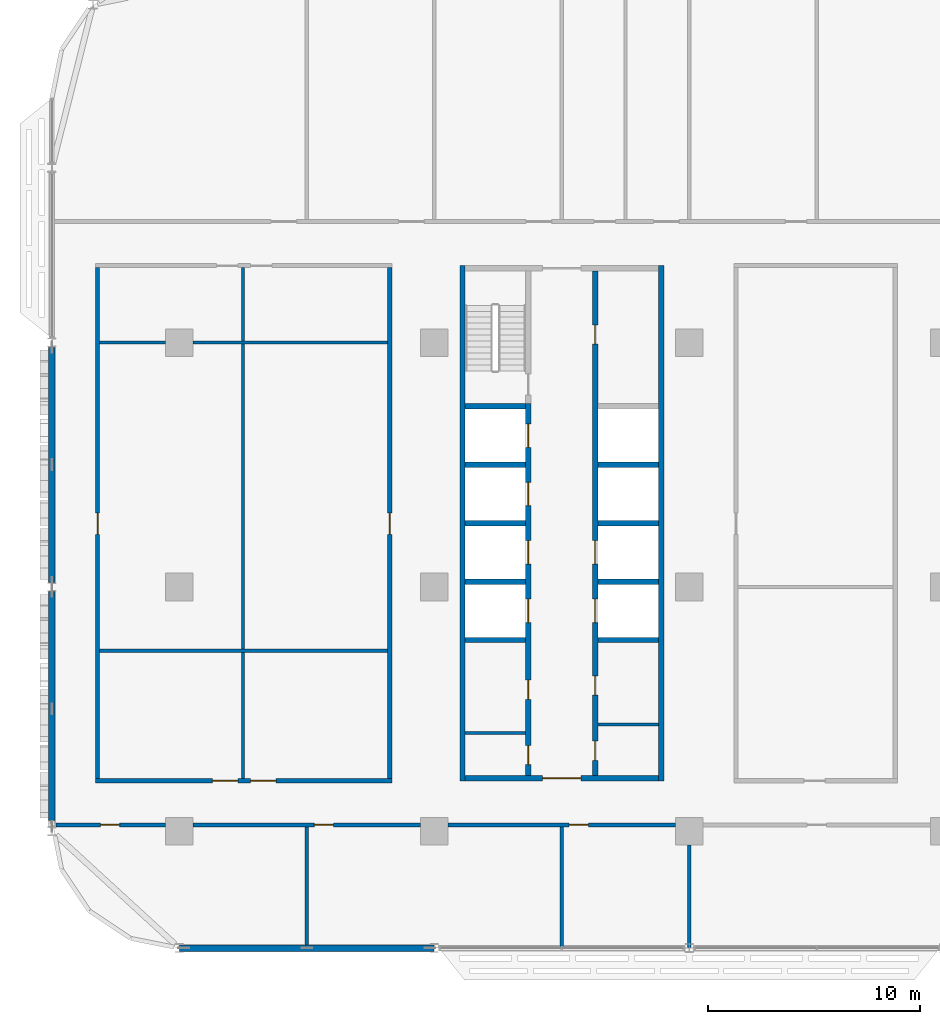
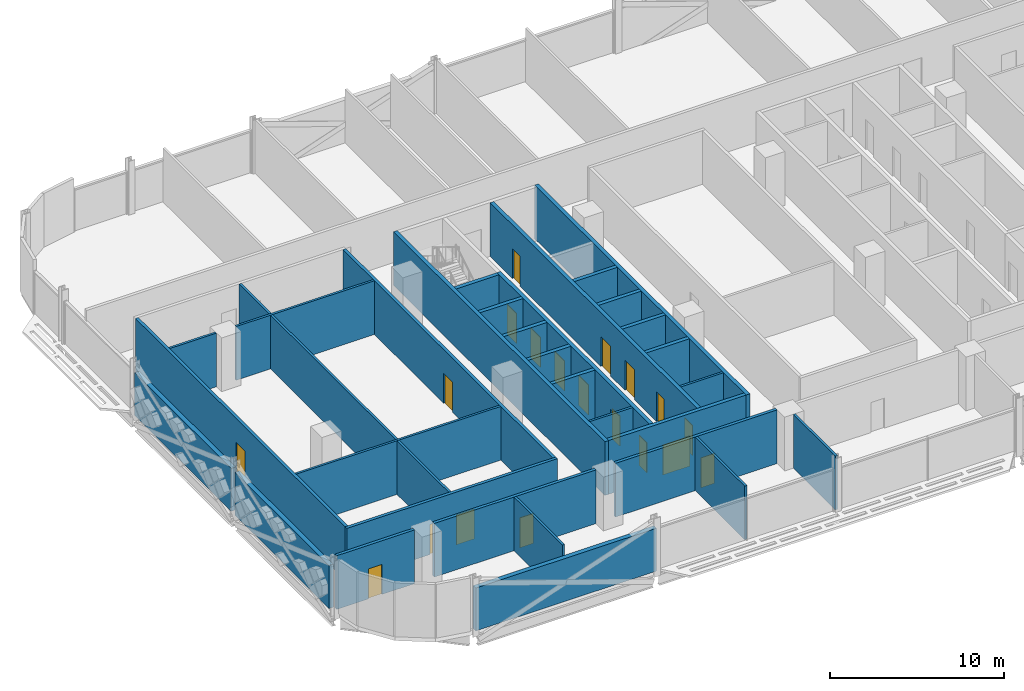
# One storey, part 13 of 29: 32 walls, 19 doors, 19 openings.
"""IFC4 building model written with IfcOpenShell, lengths in metres."""

from ifc_helpers import new_model, si_unit, direction, frame, frame_2d, origin, place, context, subcontext, project, spatial, rectangle, extrude, material, layer, layer_set, type_object, element, fill, save


model = new_model("IFC4")

# Units and contexts
model_context = context("Model", 3, precision=1e-05, world=origin(), true_north=direction((0.0, 1.0)))
body_context = subcontext(model_context, "Body", "Model", "MODEL_VIEW")
ifc_project = project(units=[si_unit("LENGTHUNIT", "METRE"), si_unit("AREAUNIT", "SQUARE_METRE"), si_unit("VOLUMEUNIT", "CUBIC_METRE"), si_unit("PLANEANGLEUNIT", "RADIAN"), si_unit("MASSUNIT", "GRAM", prefix="KILO")], contexts=[model_context])

# Site, building, storey
site_placement = place(None, origin())
site = spatial("IfcSite", under=ifc_project, at=site_placement, CompositionType="ELEMENT")
building_placement = place(site_placement, origin())
building = spatial("IfcBuilding", under=site, at=building_placement, Name="Mahtab Terrace Research Tower", CompositionType="ELEMENT")
storey_placement = place(building_placement, frame((0.0, 0.0, 126.10009765625)))
storey = spatial("IfcBuildingStorey", under=building, at=storey_placement, Name="L29", CompositionType="ELEMENT", Elevation=126.10009765625)

# Walls
ifc_material_1 = material(Name="Gypsum board partition")
ifc_layer_1 = layer(ifc_material_1, 0.14990234375)
ifc_layer_set_1 = layer_set([ifc_layer_1], Name="Core partition 150")
wall_type_1 = type_object("IfcWallType", Name="Core partition 150", PredefinedType="PARTITIONING", material=ifc_layer_set_1)
for number, where, z_axis, x_axis, name in (
    (1, (-28.550048828125, -6.875, 0.0), (0.0, 0.0, 1.0), (1.0, 0.0, 0.0), "Core wall A pWS-988"),
    (2, (-22.300048828125, -6.47509765625, 0.0), (0.0, 0.0, 1.0), (1.0, 0.0, 0.0), "Core wall A pES-948"),
):
    element("IfcWall", number, at=place(storey_placement, frame(where, z_axis=z_axis, x_axis=x_axis)), inside=storey, type_object=wall_type_1, Name=name, PredefinedType="PARTITIONING", context=body_context, shape_type="SweptSolid", body=[
        extrude(rectangle(XDim=2.85009765625, YDim=0.14990234375, at=frame_2d((1.425048828125, 0.0))), origin(), (0.0, 0.0, 1.0), 3.760009765625),
    ])
ifc_material_2 = material(Name="Concrete C70/85", Category="concrete")
ifc_layer_2 = layer(ifc_material_2, 0.25)
ifc_layer_set_2 = layer_set([ifc_layer_2], Name="Core wall 250")
wall_type_2 = type_object("IfcWallType", Name="Core wall 250", PredefinedType="SOLIDWALL", material=ifc_layer_set_2)
for number, where, z_axis, x_axis, name in (
    (3, (-28.675048828125, 15.125, 0.0), (0.0, 0.0, 1.0), (0.0, -1.0, 0.0), "Core wall A outerW"),
    (4, (-19.324951171875, -9.125, 0.0), (0.0, 0.0, 1.0), (0.0, 1.0, 0.0), "Core wall A outerE"),
):
    element("IfcWall", number, at=place(storey_placement, frame(where, z_axis=z_axis, x_axis=x_axis)), inside=storey, type_object=wall_type_2, Name=name, PredefinedType="SOLIDWALL", context=body_context, shape_type="SweptSolid", body=[
        extrude(rectangle(XDim=24.25, YDim=0.25, at=frame_2d((12.125, 0.0))), origin(), (0.0, 0.0, 1.0), 3.760009765625),
    ])

# Wall, opening, door
wall_1_placement = place(storey_placement, frame((-19.449951171875, -9.0, 0.0), z_axis=(0.0, 0.0, 1.0), x_axis=(-1.0, 0.0, 0.0)))
wall_1 = element("IfcWall", 5, at=wall_1_placement, inside=storey, type_object=wall_type_2, Name="Core wall A endS", PredefinedType="SOLIDWALL", context=body_context, shape_type="SweptSolid", body=[
    extrude(rectangle(XDim=9.10009765625, YDim=0.25, at=frame_2d((4.550048828125, 0.0))), origin(), (0.0, 0.0, 1.0), 3.760009765625),
])
opening_1_placement = place(wall_1_placement, frame((3.64990234375, 0.0, 0.0)))
opening_1 = element("IfcOpeningElement", 6, at=opening_1_placement, cuts=wall_1, Name="Opening A-S1", PredefinedType="OPENING", context=body_context, shape_type="SweptSolid", body=[
    extrude(rectangle(XDim=1.800048828125, YDim=2.10009765625, at=frame_2d((0.89990234375, 1.050048828125))), frame((0.0, 0.135009765625, 0.0), z_axis=(0.0, -1.0, 0.0), x_axis=(1.0, 0.0, 0.0)), (0.0, 0.0, 1.0), 0.27001953125),
])
ifc_material_3 = material(Name="Steel fire door", Category="steel")
door_type_1 = type_object("IfcDoorType", Name="Lobby double door 1800x2100 1 HR", OperationType="DOUBLE_DOOR_SINGLE_SWING", PredefinedType="DOOR", material=ifc_material_3)
door_1_placement = place(opening_1_placement, origin())
door_1 = element("IfcDoor", 7, at=door_1_placement, inside=storey, type_object=door_type_1, Name="Core entrance door A S", OperationType="DOUBLE_DOOR_SINGLE_SWING", OverallHeight=2.10009765625, OverallWidth=1.800048828125, PredefinedType="DOOR", context=body_context, shape_type="SweptSolid", body=[
    extrude(rectangle(XDim=1.800048828125, YDim=2.10009765625, at=frame_2d((0.89990234375, 1.050048828125))), frame((0.0, 0.02490234375, 0.0), z_axis=(0.0, -1.0, 0.0), x_axis=(1.0, 0.0, 0.0)), (0.0, 0.0, 1.0), 0.050048828125),
])
fill(opening_1, door_1)

# Wall, openings, doors
wall_2_placement = place(storey_placement, frame((-25.574951171875, -8.875, 0.0), z_axis=(0.0, 0.0, 1.0), x_axis=(0.0, 1.0, 0.0)))
wall_2 = element("IfcWall", 8, at=wall_2_placement, inside=storey, type_object=wall_type_2, Name="Core wall A innerWSL", PredefinedType="SOLIDWALL", context=body_context, shape_type="SweptSolid", body=[
    extrude(rectangle(XDim=17.5, YDim=0.25, at=frame_2d((8.75, 0.0))), origin(), (0.0, 0.0, 1.0), 3.760009765625),
])
opening_2_placement = place(wall_2_placement, frame((7.199951171875, 0.0, 0.0)))
opening_2 = element("IfcOpeningElement", 9, at=opening_2_placement, cuts=wall_2, Name="Opening LD01-L29", PredefinedType="OPENING", context=body_context, shape_type="SweptSolid", body=[
    extrude(rectangle(XDim=1.10009765625, YDim=2.10009765625, at=frame_2d((0.550048828125, 1.050048828125))), frame((0.0, 0.135009765625, 0.0), z_axis=(0.0, -1.0, 0.0), x_axis=(1.0, 0.0, 0.0)), (0.0, 0.0, 1.0), 0.27001953125),
])
opening_3_placement = place(wall_2_placement, frame((9.949951171875, 0.0, 0.0)))
opening_3 = element("IfcOpeningElement", 10, at=opening_3_placement, cuts=wall_2, Name="Opening LD02-L29", PredefinedType="OPENING", context=body_context, shape_type="SweptSolid", body=[
    extrude(rectangle(XDim=1.10009765625, YDim=2.10009765625, at=frame_2d((0.550048828125, 1.050048828125))), frame((0.0, 0.135009765625, 0.0), z_axis=(0.0, -1.0, 0.0), x_axis=(1.0, 0.0, 0.0)), (0.0, 0.0, 1.0), 0.27001953125),
])
opening_4_placement = place(wall_2_placement, frame((12.699951171875, 0.0, 0.0)))
opening_4 = element("IfcOpeningElement", 11, at=opening_4_placement, cuts=wall_2, Name="Opening LD03-L29", PredefinedType="OPENING", context=body_context, shape_type="SweptSolid", body=[
    extrude(rectangle(XDim=1.10009765625, YDim=2.10009765625, at=frame_2d((0.550048828125, 1.050048828125))), frame((0.0, 0.135009765625, 0.0), z_axis=(0.0, -1.0, 0.0), x_axis=(1.0, 0.0, 0.0)), (0.0, 0.0, 1.0), 0.27001953125),
])
opening_5_placement = place(wall_2_placement, frame((15.449951171875, 0.0, 0.0)))
opening_5 = element("IfcOpeningElement", 12, at=opening_5_placement, cuts=wall_2, Name="Opening LD04-L29", PredefinedType="OPENING", context=body_context, shape_type="SweptSolid", body=[
    extrude(rectangle(XDim=1.10009765625, YDim=2.10009765625, at=frame_2d((0.550048828125, 1.050048828125))), frame((0.0, 0.135009765625, 0.0), z_axis=(0.0, -1.0, 0.0), x_axis=(1.0, 0.0, 0.0)), (0.0, 0.0, 1.0), 0.27001953125),
])
opening_6_placement = place(wall_2_placement, frame((0.512451171875, 0.0, 0.0)))
opening_6 = element("IfcOpeningElement", 13, at=opening_6_placement, cuts=wall_2, Name="Opening A-R1", PredefinedType="OPENING", context=body_context, shape_type="SweptSolid", body=[
    extrude(rectangle(XDim=0.89990234375, YDim=2.10009765625, at=frame_2d((0.449951171875, 1.050048828125))), frame((0.0, 0.135009765625, 0.0), z_axis=(0.0, -1.0, 0.0), x_axis=(1.0, 0.0, 0.0)), (0.0, 0.0, 1.0), 0.27001953125),
])
opening_7_placement = place(wall_2_placement, frame((3.58740234375, 0.0, 0.0)))
opening_7 = element("IfcOpeningElement", 14, at=opening_7_placement, cuts=wall_2, Name="Opening A-R2", PredefinedType="OPENING", context=body_context, shape_type="SweptSolid", body=[
    extrude(rectangle(XDim=0.89990234375, YDim=2.10009765625, at=frame_2d((0.449951171875, 1.050048828125))), frame((0.0, 0.135009765625, 0.0), z_axis=(0.0, -1.0, 0.0), x_axis=(1.0, 0.0, 0.0)), (0.0, 0.0, 1.0), 0.27001953125),
])
ifc_material_4 = material(Name="Stainless steel AISI 304", Category="steel")
door_type_2 = type_object("IfcDoorType", Name="Landing door 1100x2100", OperationType="DOUBLE_DOOR_SLIDING", PredefinedType="DOOR", material=ifc_material_4)
door_2_placement = place(opening_2_placement, origin())
door_2 = element("IfcDoor", 15, at=door_2_placement, inside=storey, type_object=door_type_2, Name="Landing door LR1 L29", OperationType="DOUBLE_DOOR_SLIDING", OverallHeight=2.10009765625, OverallWidth=1.10009765625, PredefinedType="DOOR", context=body_context, shape_type="SweptSolid", body=[
    extrude(rectangle(XDim=1.10009765625, YDim=2.10009765625, at=frame_2d((0.550048828125, 1.050048828125))), frame((0.0, 0.02490234375, 0.0), z_axis=(0.0, -1.0, 0.0), x_axis=(1.0, 0.0, 0.0)), (0.0, 0.0, 1.0), 0.050048828125),
])
fill(opening_2, door_2)
door_3_placement = place(opening_3_placement, origin())
door_3 = element("IfcDoor", 16, at=door_3_placement, inside=storey, type_object=door_type_2, Name="Landing door LR2 L29", OperationType="DOUBLE_DOOR_SLIDING", OverallHeight=2.10009765625, OverallWidth=1.10009765625, PredefinedType="DOOR", context=body_context, shape_type="SweptSolid", body=[
    extrude(rectangle(XDim=1.10009765625, YDim=2.10009765625, at=frame_2d((0.550048828125, 1.050048828125))), frame((0.0, 0.02490234375, 0.0), z_axis=(0.0, -1.0, 0.0), x_axis=(1.0, 0.0, 0.0)), (0.0, 0.0, 1.0), 0.050048828125),
])
fill(opening_3, door_3)
door_4_placement = place(opening_4_placement, origin())
door_4 = element("IfcDoor", 17, at=door_4_placement, inside=storey, type_object=door_type_2, Name="Landing door LR3 L29", OperationType="DOUBLE_DOOR_SLIDING", OverallHeight=2.10009765625, OverallWidth=1.10009765625, PredefinedType="DOOR", context=body_context, shape_type="SweptSolid", body=[
    extrude(rectangle(XDim=1.10009765625, YDim=2.10009765625, at=frame_2d((0.550048828125, 1.050048828125))), frame((0.0, 0.02490234375, 0.0), z_axis=(0.0, -1.0, 0.0), x_axis=(1.0, 0.0, 0.0)), (0.0, 0.0, 1.0), 0.050048828125),
])
fill(opening_4, door_4)
door_5_placement = place(opening_5_placement, origin())
door_5 = element("IfcDoor", 18, at=door_5_placement, inside=storey, type_object=door_type_2, Name="Landing door LR4 L29", OperationType="DOUBLE_DOOR_SLIDING", OverallHeight=2.10009765625, OverallWidth=1.10009765625, PredefinedType="DOOR", context=body_context, shape_type="SweptSolid", body=[
    extrude(rectangle(XDim=1.10009765625, YDim=2.10009765625, at=frame_2d((0.550048828125, 1.050048828125))), frame((0.0, 0.02490234375, 0.0), z_axis=(0.0, -1.0, 0.0), x_axis=(1.0, 0.0, 0.0)), (0.0, 0.0, 1.0), 0.050048828125),
])
fill(opening_5, door_5)
door_type_3 = type_object("IfcDoorType", Name="Room door 900x2100 1 HR", OperationType="NOTDEFINED", PredefinedType="DOOR", material=ifc_material_3)
door_6_placement = place(opening_6_placement, origin())
door_6 = element("IfcDoor", 19, at=door_6_placement, inside=storey, type_object=door_type_3, Name="Accessible WC door", OperationType="SINGLE_SWING_LEFT", OverallHeight=2.10009765625, OverallWidth=0.89990234375, PredefinedType="DOOR", context=body_context, shape_type="SweptSolid", body=[
    extrude(rectangle(XDim=0.89990234375, YDim=2.10009765625, at=frame_2d((0.449951171875, 1.050048828125))), frame((0.0, 0.02490234375, 0.0), z_axis=(0.0, -1.0, 0.0), x_axis=(1.0, 0.0, 0.0)), (0.0, 0.0, 1.0), 0.050048828125),
])
fill(opening_6, door_6)
door_7_placement = place(opening_7_placement, origin())
door_7 = element("IfcDoor", 20, at=door_7_placement, inside=storey, type_object=door_type_3, Name="WC block door", OperationType="SINGLE_SWING_RIGHT", OverallHeight=2.10009765625, OverallWidth=0.89990234375, PredefinedType="DOOR", context=body_context, shape_type="SweptSolid", body=[
    extrude(rectangle(XDim=0.89990234375, YDim=2.10009765625, at=frame_2d((0.449951171875, 1.050048828125))), frame((0.0, 0.02490234375, 0.0), z_axis=(0.0, -1.0, 0.0), x_axis=(1.0, 0.0, 0.0)), (0.0, 0.0, 1.0), 0.050048828125),
])
fill(opening_7, door_7)

wall_3_placement = place(storey_placement, frame((-22.425048828125, 14.875, 0.0), z_axis=(0.0, 0.0, 1.0), x_axis=(0.0, -1.0, 0.0)))
wall_3 = element("IfcWall", 21, at=wall_3_placement, inside=storey, type_object=wall_type_2, Name="Core wall A innerESLN", PredefinedType="SOLIDWALL", context=body_context, shape_type="SweptSolid", body=[
    extrude(rectangle(XDim=23.75, YDim=0.25, at=frame_2d((11.875, 0.0))), origin(), (0.0, 0.0, 1.0), 3.760009765625),
])
opening_8_placement = place(wall_3_placement, frame((15.449951171875, 0.0, 0.0)))
opening_8 = element("IfcOpeningElement", 22, at=opening_8_placement, cuts=wall_3, Name="Opening LD05-L29", PredefinedType="OPENING", context=body_context, shape_type="SweptSolid", body=[
    extrude(rectangle(XDim=1.10009765625, YDim=2.10009765625, at=frame_2d((0.550048828125, 1.050048828125))), frame((0.0, 0.135009765625, 0.0), z_axis=(0.0, -1.0, 0.0), x_axis=(1.0, 0.0, 0.0)), (0.0, 0.0, 1.0), 0.27001953125),
])
opening_9_placement = place(wall_3_placement, frame((12.699951171875, 0.0, 0.0)))
opening_9 = element("IfcOpeningElement", 23, at=opening_9_placement, cuts=wall_3, Name="Opening LD06-L29", PredefinedType="OPENING", context=body_context, shape_type="SweptSolid", body=[
    extrude(rectangle(XDim=1.10009765625, YDim=2.10009765625, at=frame_2d((0.550048828125, 1.050048828125))), frame((0.0, 0.135009765625, 0.0), z_axis=(0.0, -1.0, 0.0), x_axis=(1.0, 0.0, 0.0)), (0.0, 0.0, 1.0), 0.27001953125),
])
opening_10_placement = place(wall_3_placement, frame((22.137451171875, 0.0, 0.0)))
opening_10 = element("IfcOpeningElement", 24, at=opening_10_placement, cuts=wall_3, Name="Opening A-R3", PredefinedType="OPENING", context=body_context, shape_type="SweptSolid", body=[
    extrude(rectangle(XDim=0.89990234375, YDim=2.10009765625, at=frame_2d((0.449951171875, 1.050048828125))), frame((0.0, 0.135009765625, 0.0), z_axis=(0.0, -1.0, 0.0), x_axis=(1.0, 0.0, 0.0)), (0.0, 0.0, 1.0), 0.27001953125),
])
opening_11_placement = place(wall_3_placement, frame((19.0625, 0.0, 0.0)))
opening_11 = element("IfcOpeningElement", 25, at=opening_11_placement, cuts=wall_3, Name="Opening A-R4", PredefinedType="OPENING", context=body_context, shape_type="SweptSolid", body=[
    extrude(rectangle(XDim=0.89990234375, YDim=2.10009765625, at=frame_2d((0.449951171875, 1.050048828125))), frame((0.0, 0.135009765625, 0.0), z_axis=(0.0, -1.0, 0.0), x_axis=(1.0, 0.0, 0.0)), (0.0, 0.0, 1.0), 0.27001953125),
])
opening_12_placement = place(wall_3_placement, frame((2.550048828125, 0.0, 0.0)))
opening_12 = element("IfcOpeningElement", 26, at=opening_12_placement, cuts=wall_3, Name="Opening A-R5", PredefinedType="OPENING", context=body_context, shape_type="SweptSolid", body=[
    extrude(rectangle(XDim=0.89990234375, YDim=2.10009765625, at=frame_2d((0.449951171875, 1.050048828125))), frame((0.0, 0.135009765625, 0.0), z_axis=(0.0, -1.0, 0.0), x_axis=(1.0, 0.0, 0.0)), (0.0, 0.0, 1.0), 0.27001953125),
])
door_8_placement = place(opening_8_placement, origin())
door_8 = element("IfcDoor", 27, at=door_8_placement, inside=storey, type_object=door_type_2, Name="Landing door LR5 L29", OperationType="DOUBLE_DOOR_SLIDING", OverallHeight=2.10009765625, OverallWidth=1.10009765625, PredefinedType="DOOR", context=body_context, shape_type="SweptSolid", body=[
    extrude(rectangle(XDim=1.10009765625, YDim=2.10009765625, at=frame_2d((0.550048828125, 1.050048828125))), frame((0.0, 0.02490234375, 0.0), z_axis=(0.0, -1.0, 0.0), x_axis=(1.0, 0.0, 0.0)), (0.0, 0.0, 1.0), 0.050048828125),
])
fill(opening_8, door_8)
door_9_placement = place(opening_9_placement, origin())
door_9 = element("IfcDoor", 28, at=door_9_placement, inside=storey, type_object=door_type_2, Name="Landing door LR6 L29", OperationType="DOUBLE_DOOR_SLIDING", OverallHeight=2.10009765625, OverallWidth=1.10009765625, PredefinedType="DOOR", context=body_context, shape_type="SweptSolid", body=[
    extrude(rectangle(XDim=1.10009765625, YDim=2.10009765625, at=frame_2d((0.550048828125, 1.050048828125))), frame((0.0, 0.02490234375, 0.0), z_axis=(0.0, -1.0, 0.0), x_axis=(1.0, 0.0, 0.0)), (0.0, 0.0, 1.0), 0.050048828125),
])
fill(opening_9, door_9)
door_10_placement = place(opening_10_placement, origin())
door_10 = element("IfcDoor", 29, at=door_10_placement, inside=storey, type_object=door_type_3, Name="Mechanical riser room door", OperationType="SINGLE_SWING_LEFT", OverallHeight=2.10009765625, OverallWidth=0.89990234375, PredefinedType="DOOR", context=body_context, shape_type="SweptSolid", body=[
    extrude(rectangle(XDim=0.89990234375, YDim=2.10009765625, at=frame_2d((0.449951171875, 1.050048828125))), frame((0.0, 0.02490234375, 0.0), z_axis=(0.0, -1.0, 0.0), x_axis=(1.0, 0.0, 0.0)), (0.0, 0.0, 1.0), 0.050048828125),
])
fill(opening_10, door_10)
door_11_placement = place(opening_11_placement, origin())
door_11 = element("IfcDoor", 30, at=door_11_placement, inside=storey, type_object=door_type_3, Name="Chemical store door", OperationType="SINGLE_SWING_RIGHT", OverallHeight=2.10009765625, OverallWidth=0.89990234375, PredefinedType="DOOR", context=body_context, shape_type="SweptSolid", body=[
    extrude(rectangle(XDim=0.89990234375, YDim=2.10009765625, at=frame_2d((0.449951171875, 1.050048828125))), frame((0.0, 0.02490234375, 0.0), z_axis=(0.0, -1.0, 0.0), x_axis=(1.0, 0.0, 0.0)), (0.0, 0.0, 1.0), 0.050048828125),
])
fill(opening_11, door_11)
door_12_placement = place(opening_12_placement, origin())
door_12 = element("IfcDoor", 31, at=door_12_placement, inside=storey, type_object=door_type_3, Name="Gas cylinder store door", OperationType="SINGLE_SWING_LEFT", OverallHeight=2.10009765625, OverallWidth=0.89990234375, PredefinedType="DOOR", context=body_context, shape_type="SweptSolid", body=[
    extrude(rectangle(XDim=0.89990234375, YDim=2.10009765625, at=frame_2d((0.449951171875, 1.050048828125))), frame((0.0, 0.02490234375, 0.0), z_axis=(0.0, -1.0, 0.0), x_axis=(1.0, 0.0, 0.0)), (0.0, 0.0, 1.0), 0.050048828125),
])
fill(opening_12, door_12)

# Walls
for number, where, z_axis, x_axis, name in (
    (32, (-28.550048828125, -2.5, 0.0), (0.0, 0.0, 1.0), (1.0, 0.0, 0.0), "Core wall A divW0"),
    (33, (-28.550048828125, 0.25, 0.0), (0.0, 0.0, 1.0), (1.0, 0.0, 0.0), "Core wall A divW1"),
    (34, (-28.550048828125, 3.0, 0.0), (0.0, 0.0, 1.0), (1.0, 0.0, 0.0), "Core wall A divW2"),
    (35, (-28.550048828125, 5.75, 0.0), (0.0, 0.0, 1.0), (1.0, 0.0, 0.0), "Core wall A divW3"),
    (36, (-28.550048828125, 8.5, 0.0), (0.0, 0.0, 1.0), (1.0, 0.0, 0.0), "Core wall A divW4"),
    (37, (-22.300048828125, -2.5, 0.0), (0.0, 0.0, 1.0), (1.0, 0.0, 0.0), "Core wall A divE0"),
    (38, (-22.300048828125, 0.25, 0.0), (0.0, 0.0, 1.0), (1.0, 0.0, 0.0), "Core wall A divE1"),
    (39, (-22.300048828125, 3.0, 0.0), (0.0, 0.0, 1.0), (1.0, 0.0, 0.0), "Core wall A divE2"),
    (40, (-22.300048828125, 5.75, 0.0), (0.0, 0.0, 1.0), (1.0, 0.0, 0.0), "Core wall A divE3"),
):
    element("IfcWall", number, at=place(storey_placement, frame(where, z_axis=z_axis, x_axis=x_axis)), inside=storey, type_object=wall_type_2, Name=name, PredefinedType="SOLIDWALL", context=body_context, shape_type="SweptSolid", body=[
        extrude(rectangle(XDim=2.85009765625, YDim=0.25, at=frame_2d((1.425048828125, 0.0))), origin(), (0.0, 0.0, 1.0), 3.760009765625),
    ])
ifc_material_5 = material(Name="Black aluminium cladding panel", Category="aluminium")
ifc_layer_3 = layer(ifc_material_5, 0.300048828125)
ifc_layer_set_3 = layer_set([ifc_layer_3], Name="Opaque facade wall 300")
wall_type_3 = type_object("IfcWallType", Name="Opaque facade wall 300", PredefinedType="NOTDEFINED", material=ifc_layer_set_3)
wall_4_placement = place(storey_placement, frame((-48.0, 11.281982421875, 0.0), z_axis=(0.0, 0.0, 1.0), x_axis=(0.0, -1.0, 0.0)))
element("IfcWall", 41, at=wall_4_placement, inside=storey, type_object=wall_type_3, Name="Opaque facade wall L29 W17", PredefinedType="NOTDEFINED", context=body_context, shape_type="SweptSolid", body=[
    extrude(rectangle(XDim=11.06396484375, YDim=0.300048828125, at=frame_2d((5.531982421875, 0.0))), origin(), (0.0, 0.0, 1.0), 3.0029296875),
])
wall_5_placement = place(storey_placement, frame((-48.0, -0.218017578125, 0.0), z_axis=(0.0, 0.0, 1.0), x_axis=(0.0, -1.0, 0.0)))
element("IfcWall", 42, at=wall_5_placement, inside=storey, type_object=wall_type_3, Name="Opaque facade wall L29 W18", PredefinedType="NOTDEFINED", context=body_context, shape_type="SweptSolid", body=[
    extrude(rectangle(XDim=10.781982421875, YDim=0.300048828125, at=frame_2d((5.39111328125, 0.0))), origin(), (0.0, 0.0, 1.0), 3.0029296875),
])
wall_6_placement = place(storey_placement, frame((-41.982177734375, -17.0, 0.0), z_axis=(0.0, 0.0, 1.0), x_axis=(1.0, 0.0, 0.0)))
element("IfcWall", 43, at=wall_6_placement, inside=storey, type_object=wall_type_3, Name="Opaque facade wall L29 S24", PredefinedType="NOTDEFINED", context=body_context, shape_type="SweptSolid", body=[
    extrude(rectangle(XDim=11.96435546875, YDim=0.300048828125, at=frame_2d((5.982177734375, 0.0))), origin(), (0.0, 0.0, 1.0), 3.0029296875),
])

# Wall, opening, door
ifc_material_6 = material(Name="Gypsum board corridor wall on steel studs", Category="steel")
ifc_layer_4 = layer(ifc_material_6, 0.199951171875)
ifc_layer_set_4 = layer_set([ifc_layer_4], Name="WALL CORRIDOR 200")
wall_type_4 = type_object("IfcWallType", Name="WALL CORRIDOR 200", PredefinedType="PARTITIONING", material=ifc_layer_set_4)
wall_7_placement = place(storey_placement, frame((-47.807373046875, -11.199951171875, 0.0), z_axis=(0.0, 0.0, 1.0), x_axis=(1.0, 0.0, 0.0)))
wall_7 = element("IfcWall", 44, at=wall_7_placement, inside=storey, type_object=wall_type_4, Name="L29-W001", PredefinedType="PARTITIONING", context=body_context, shape_type="SweptSolid", body=[
    extrude(rectangle(XDim=5.157470703125, YDim=0.199951171875, at=frame_2d((2.57861328125, 0.0))), origin(), (0.0, 0.0, 1.0), 3.760009765625),
])
opening_13_placement = place(wall_7_placement, frame((2.10009765625, 0.0, 0.0)))
opening_13 = element("IfcOpeningElement", 45, at=opening_13_placement, cuts=wall_7, Name="Opening L29-101", PredefinedType="OPENING", context=body_context, shape_type="SweptSolid", body=[
    extrude(rectangle(XDim=0.89990234375, YDim=2.10009765625, at=frame_2d((0.449951171875, 1.050048828125))), frame((0.0, 0.10986328125, 0.0), z_axis=(0.0, -1.0, 0.0), x_axis=(1.0, 0.0, 0.0)), (0.0, 0.0, 1.0), 0.219970703125),
])
ifc_material_7 = material(Name="Timber door leaf in steel frame", Category="steel")
door_type_4 = type_object("IfcDoorType", Name="DOOR 0900X2100 FD30S", OperationType="SINGLE_SWING_LEFT", PredefinedType="DOOR", material=ifc_material_7)
door_13_placement = place(opening_13_placement, origin())
door_13 = element("IfcDoor", 46, at=door_13_placement, inside=storey, type_object=door_type_4, Name="Door L29-101", OperationType="SINGLE_SWING_RIGHT", OverallHeight=2.10009765625, OverallWidth=0.89990234375, PredefinedType="DOOR", context=body_context, shape_type="SweptSolid", body=[
    extrude(rectangle(XDim=0.89990234375, YDim=2.10009765625, at=frame_2d((0.449951171875, 1.050048828125))), frame((0.0, 0.02490234375, 0.0), z_axis=(0.0, -1.0, 0.0), x_axis=(1.0, 0.0, 0.0)), (0.0, 0.0, 1.0), 0.050048828125),
])
fill(opening_13, door_13)

wall_8_placement = place(storey_placement, frame((-41.35009765625, -11.199951171875, 0.0), z_axis=(0.0, 0.0, 1.0), x_axis=(1.0, 0.0, 0.0)))
wall_8 = element("IfcWall", 47, at=wall_8_placement, inside=storey, type_object=wall_type_4, Name="L29-W002", PredefinedType="PARTITIONING", context=body_context, shape_type="SweptSolid", body=[
    extrude(rectangle(XDim=10.7001953125, YDim=0.199951171875, at=frame_2d((5.35009765625, 0.0))), origin(), (0.0, 0.0, 1.0), 3.760009765625),
])
opening_14_placement = place(wall_8_placement, frame((5.699951171875, 0.0, 0.0)))
opening_14 = element("IfcOpeningElement", 48, at=opening_14_placement, cuts=wall_8, Name="Opening L29-102", PredefinedType="OPENING", context=body_context, shape_type="SweptSolid", body=[
    extrude(rectangle(XDim=0.89990234375, YDim=2.10009765625, at=frame_2d((0.449951171875, 1.050048828125))), frame((0.0, 0.10986328125, 0.0), z_axis=(0.0, -1.0, 0.0), x_axis=(1.0, 0.0, 0.0)), (0.0, 0.0, 1.0), 0.219970703125),
])
door_14_placement = place(opening_14_placement, origin())
door_14 = element("IfcDoor", 49, at=door_14_placement, inside=storey, type_object=door_type_4, Name="Door L29-102", OperationType="SINGLE_SWING_LEFT", OverallHeight=2.10009765625, OverallWidth=0.89990234375, PredefinedType="DOOR", context=body_context, shape_type="SweptSolid", body=[
    extrude(rectangle(XDim=0.89990234375, YDim=2.10009765625, at=frame_2d((0.449951171875, 1.050048828125))), frame((0.0, 0.02490234375, 0.0), z_axis=(0.0, -1.0, 0.0), x_axis=(1.0, 0.0, 0.0)), (0.0, 0.0, 1.0), 0.050048828125),
])
fill(opening_14, door_14)

wall_9_placement = place(storey_placement, frame((-29.35009765625, -11.199951171875, 0.0), z_axis=(0.0, 0.0, 1.0), x_axis=(1.0, 0.0, 0.0)))
wall_9 = element("IfcWall", 50, at=wall_9_placement, inside=storey, type_object=wall_type_4, Name="L29-W003", PredefinedType="PARTITIONING", context=body_context, shape_type="SweptSolid", body=[
    extrude(rectangle(XDim=10.7001953125, YDim=0.199951171875, at=frame_2d((5.35009765625, 0.0))), origin(), (0.0, 0.0, 1.0), 3.760009765625),
])
opening_15_placement = place(wall_9_placement, frame((5.699951171875, 0.0, 0.0)))
opening_15 = element("IfcOpeningElement", 51, at=opening_15_placement, cuts=wall_9, Name="Opening L29-103", PredefinedType="OPENING", context=body_context, shape_type="SweptSolid", body=[
    extrude(rectangle(XDim=0.89990234375, YDim=2.10009765625, at=frame_2d((0.449951171875, 1.050048828125))), frame((0.0, 0.10986328125, 0.0), z_axis=(0.0, -1.0, 0.0), x_axis=(1.0, 0.0, 0.0)), (0.0, 0.0, 1.0), 0.219970703125),
])
door_15_placement = place(opening_15_placement, origin())
door_15 = element("IfcDoor", 52, at=door_15_placement, inside=storey, type_object=door_type_4, Name="Door L29-103", OperationType="SINGLE_SWING_LEFT", OverallHeight=2.10009765625, OverallWidth=0.89990234375, PredefinedType="DOOR", context=body_context, shape_type="SweptSolid", body=[
    extrude(rectangle(XDim=0.89990234375, YDim=2.10009765625, at=frame_2d((0.449951171875, 1.050048828125))), frame((0.0, 0.02490234375, 0.0), z_axis=(0.0, -1.0, 0.0), x_axis=(1.0, 0.0, 0.0)), (0.0, 0.0, 1.0), 0.050048828125),
])
fill(opening_15, door_15)

# Wall, openings, doors
wall_10_placement = place(storey_placement, frame((-45.949951171875, -9.125, 0.0), z_axis=(0.0, 0.0, 1.0), x_axis=(1.0, 0.0, 0.0)))
wall_10 = element("IfcWall", 53, at=wall_10_placement, inside=storey, type_object=wall_type_4, Name="L29-W010", PredefinedType="PARTITIONING", context=body_context, shape_type="SweptSolid", body=[
    extrude(rectangle(XDim=13.949951171875, YDim=0.199951171875, at=frame_2d((6.97509765625, 0.0))), origin(), (0.0, 0.0, 1.0), 3.760009765625),
])
opening_16_placement = place(wall_10_placement, frame((5.5, 0.0, 0.0)))
opening_16 = element("IfcOpeningElement", 54, at=opening_16_placement, cuts=wall_10, Name="Opening L29-111", PredefinedType="OPENING", context=body_context, shape_type="SweptSolid", body=[
    extrude(rectangle(XDim=1.199951171875, YDim=2.10009765625, at=frame_2d((0.60009765625, 1.050048828125))), frame((0.0, 0.10986328125, 0.0), z_axis=(0.0, -1.0, 0.0), x_axis=(1.0, 0.0, 0.0)), (0.0, 0.0, 1.0), 0.219970703125),
])
opening_17_placement = place(wall_10_placement, frame((7.300048828125, 0.0, 0.0)))
opening_17 = element("IfcOpeningElement", 55, at=opening_17_placement, cuts=wall_10, Name="Opening L29-112", PredefinedType="OPENING", context=body_context, shape_type="SweptSolid", body=[
    extrude(rectangle(XDim=1.199951171875, YDim=2.10009765625, at=frame_2d((0.60009765625, 1.050048828125))), frame((0.0, 0.10986328125, 0.0), z_axis=(0.0, -1.0, 0.0), x_axis=(1.0, 0.0, 0.0)), (0.0, 0.0, 1.0), 0.219970703125),
])
door_type_5 = type_object("IfcDoorType", Name="DOOR 1200X2100 FD30S", OperationType="SINGLE_SWING_LEFT", PredefinedType="DOOR", material=ifc_material_7)
door_16_placement = place(opening_16_placement, origin())
door_16 = element("IfcDoor", 56, at=door_16_placement, inside=storey, type_object=door_type_5, Name="Door L29-111", OperationType="SINGLE_SWING_LEFT", OverallHeight=2.10009765625, OverallWidth=1.199951171875, PredefinedType="DOOR", context=body_context, shape_type="SweptSolid", body=[
    extrude(rectangle(XDim=1.199951171875, YDim=2.10009765625, at=frame_2d((0.60009765625, 1.050048828125))), frame((0.0, 0.02490234375, 0.0), z_axis=(0.0, -1.0, 0.0), x_axis=(1.0, 0.0, 0.0)), (0.0, 0.0, 1.0), 0.050048828125),
])
fill(opening_16, door_16)
door_17_placement = place(opening_17_placement, origin())
door_17 = element("IfcDoor", 57, at=door_17_placement, inside=storey, type_object=door_type_5, Name="Door L29-112", OperationType="SINGLE_SWING_RIGHT", OverallHeight=2.10009765625, OverallWidth=1.199951171875, PredefinedType="DOOR", context=body_context, shape_type="SweptSolid", body=[
    extrude(rectangle(XDim=1.199951171875, YDim=2.10009765625, at=frame_2d((0.60009765625, 1.050048828125))), frame((0.0, 0.02490234375, 0.0), z_axis=(0.0, -1.0, 0.0), x_axis=(1.0, 0.0, 0.0)), (0.0, 0.0, 1.0), 0.050048828125),
])
fill(opening_17, door_17)

# Wall, opening, door
wall_11_placement = place(storey_placement, frame((-45.85009765625, -9.02490234375, 0.0), z_axis=(0.0, 0.0, 1.0), x_axis=(0.0, 1.0, 0.0)))
wall_11 = element("IfcWall", 58, at=wall_11_placement, inside=storey, type_object=wall_type_4, Name="L29-W027", PredefinedType="PARTITIONING", context=body_context, shape_type="SweptSolid", body=[
    extrude(rectangle(XDim=24.0498046875, YDim=0.199951171875, at=frame_2d((12.02490234375, 0.0))), origin(), (0.0, 0.0, 1.0), 3.760009765625),
])
opening_18_placement = place(wall_11_placement, frame((11.5, 0.0, 0.0)))
opening_18 = element("IfcOpeningElement", 59, at=opening_18_placement, cuts=wall_11, Name="Opening L29-117", PredefinedType="OPENING", context=body_context, shape_type="SweptSolid", body=[
    extrude(rectangle(XDim=1.0, YDim=2.10009765625, at=frame_2d((0.5, 1.050048828125))), frame((0.0, 0.10986328125, 0.0), z_axis=(0.0, -1.0, 0.0), x_axis=(1.0, 0.0, 0.0)), (0.0, 0.0, 1.0), 0.219970703125),
])
door_type_6 = type_object("IfcDoorType", Name="DOOR 1000X2100 FD30S", OperationType="SINGLE_SWING_LEFT", PredefinedType="DOOR", material=ifc_material_7)
door_18_placement = place(opening_18_placement, origin())
door_18 = element("IfcDoor", 60, at=door_18_placement, inside=storey, type_object=door_type_6, Name="Door L29-117", OperationType="SINGLE_SWING_RIGHT", OverallHeight=2.10009765625, OverallWidth=1.0, PredefinedType="DOOR", context=body_context, shape_type="SweptSolid", body=[
    extrude(rectangle(XDim=1.0, YDim=2.10009765625, at=frame_2d((0.5, 1.050048828125))), frame((0.0, 0.02490234375, 0.0), z_axis=(0.0, -1.0, 0.0), x_axis=(1.0, 0.0, 0.0)), (0.0, 0.0, 1.0), 0.050048828125),
])
fill(opening_18, door_18)

wall_12_placement = place(storey_placement, frame((-32.10009765625, -9.02490234375, 0.0), z_axis=(0.0, 0.0, 1.0), x_axis=(0.0, 1.0, 0.0)))
wall_12 = element("IfcWall", 61, at=wall_12_placement, inside=storey, type_object=wall_type_4, Name="L29-W031", PredefinedType="PARTITIONING", context=body_context, shape_type="SweptSolid", body=[
    extrude(rectangle(XDim=24.0498046875, YDim=0.199951171875, at=frame_2d((12.02490234375, 0.0))), origin(), (0.0, 0.0, 1.0), 3.760009765625),
])
opening_19_placement = place(wall_12_placement, frame((11.5, 0.0, 0.0)))
opening_19 = element("IfcOpeningElement", 62, at=opening_19_placement, cuts=wall_12, Name="Opening L29-118", PredefinedType="OPENING", context=body_context, shape_type="SweptSolid", body=[
    extrude(rectangle(XDim=1.0, YDim=2.10009765625, at=frame_2d((0.5, 1.050048828125))), frame((0.0, 0.10986328125, 0.0), z_axis=(0.0, -1.0, 0.0), x_axis=(1.0, 0.0, 0.0)), (0.0, 0.0, 1.0), 0.219970703125),
])
door_19_placement = place(opening_19_placement, origin())
door_19 = element("IfcDoor", 63, at=door_19_placement, inside=storey, type_object=door_type_6, Name="Door L29-118", OperationType="SINGLE_SWING_LEFT", OverallHeight=2.10009765625, OverallWidth=1.0, PredefinedType="DOOR", context=body_context, shape_type="SweptSolid", body=[
    extrude(rectangle(XDim=1.0, YDim=2.10009765625, at=frame_2d((0.5, 1.050048828125))), frame((0.0, 0.02490234375, 0.0), z_axis=(0.0, -1.0, 0.0), x_axis=(1.0, 0.0, 0.0)), (0.0, 0.0, 1.0), 0.050048828125),
])
fill(opening_19, door_19)

# Walls
ifc_material_8 = material(Name="Gypsum board partition on steel studs", Category="steel")
ifc_layer_5 = layer(ifc_material_8, 0.14990234375)
ifc_layer_set_5 = layer_set([ifc_layer_5], Name="WALL PARTITION 150")
wall_type_5 = type_object("IfcWallType", Name="WALL PARTITION 150", PredefinedType="PARTITIONING", material=ifc_layer_set_5)
wall_13_placement = place(storey_placement, frame((-45.75, -3.0, 0.0), z_axis=(0.0, 0.0, 1.0), x_axis=(1.0, 0.0, 0.0)))
element("IfcWall", 64, at=wall_13_placement, inside=storey, type_object=wall_type_5, Name="L29-W014", PredefinedType="PARTITIONING", context=body_context, shape_type="SweptSolid", body=[
    extrude(rectangle(XDim=13.550048828125, YDim=0.14990234375, at=frame_2d((6.77490234375, 0.0))), origin(), (0.0, 0.0, 1.0), 3.760009765625),
])
wall_14_placement = place(storey_placement, frame((-45.75, 11.5, 0.0), z_axis=(0.0, 0.0, 1.0), x_axis=(1.0, 0.0, 0.0)))
element("IfcWall", 65, at=wall_14_placement, inside=storey, type_object=wall_type_5, Name="L29-W019", PredefinedType="PARTITIONING", context=body_context, shape_type="SweptSolid", body=[
    extrude(rectangle(XDim=3.10009765625, YDim=0.14990234375, at=frame_2d((1.550048828125, 0.0))), origin(), (0.0, 0.0, 1.0), 3.760009765625),
])
wall_15_placement = place(storey_placement, frame((-41.35009765625, 11.5, 0.0), z_axis=(0.0, 0.0, 1.0), x_axis=(1.0, 0.0, 0.0)))
element("IfcWall", 66, at=wall_15_placement, inside=storey, type_object=wall_type_5, Name="L29-W020", PredefinedType="PARTITIONING", context=body_context, shape_type="SweptSolid", body=[
    extrude(rectangle(XDim=9.150146484375, YDim=0.14990234375, at=frame_2d((4.5751953125, 0.0))), origin(), (0.0, 0.0, 1.0), 3.760009765625),
])
wall_16_placement = place(storey_placement, frame((-39.0, -9.02490234375, 0.0), z_axis=(0.0, 0.0, 1.0), x_axis=(0.0, 1.0, 0.0)))
element("IfcWall", 67, at=wall_16_placement, inside=storey, type_object=wall_type_5, Name="L29-W028", PredefinedType="PARTITIONING", context=body_context, shape_type="SweptSolid", body=[
    extrude(rectangle(XDim=24.0498046875, YDim=0.14990234375, at=frame_2d((12.02490234375, 0.0))), origin(), (0.0, 0.0, 1.0), 3.760009765625),
])
wall_17_placement = place(storey_placement, frame((-36.0, -16.85009765625, 0.0), z_axis=(0.0, 0.0, 1.0), x_axis=(0.0, 1.0, 0.0)))
element("IfcWall", 68, at=wall_17_placement, inside=storey, type_object=wall_type_5, Name="L29-W029", PredefinedType="PARTITIONING", context=body_context, shape_type="SweptSolid", body=[
    extrude(rectangle(XDim=5.550048828125, YDim=0.14990234375, at=frame_2d((2.77490234375, 0.0))), origin(), (0.0, 0.0, 1.0), 3.760009765625),
])
wall_18_placement = place(storey_placement, frame((-24.0, -16.97509765625, 0.0), z_axis=(0.0, 0.0, 1.0), x_axis=(0.0, 1.0, 0.0)))
element("IfcWall", 69, at=wall_18_placement, inside=storey, type_object=wall_type_5, Name="L29-W033", PredefinedType="PARTITIONING", context=body_context, shape_type="SweptSolid", body=[
    extrude(rectangle(XDim=5.675048828125, YDim=0.14990234375, at=frame_2d((2.83740234375, 0.0))), origin(), (0.0, 0.0, 1.0), 3.760009765625),
])
wall_19_placement = place(storey_placement, frame((-18.0, -16.97509765625, 0.0), z_axis=(0.0, 0.0, 1.0), x_axis=(0.0, 1.0, 0.0)))
element("IfcWall", 70, at=wall_19_placement, inside=storey, type_object=wall_type_5, Name="L29-W036", PredefinedType="PARTITIONING", context=body_context, shape_type="SweptSolid", body=[
    extrude(rectangle(XDim=4.8251953125, YDim=0.14990234375, at=frame_2d((2.41259765625, 0.0))), origin(), (0.0, 0.0, 1.0), 3.760009765625),
])

save(model, "model.ifc")
